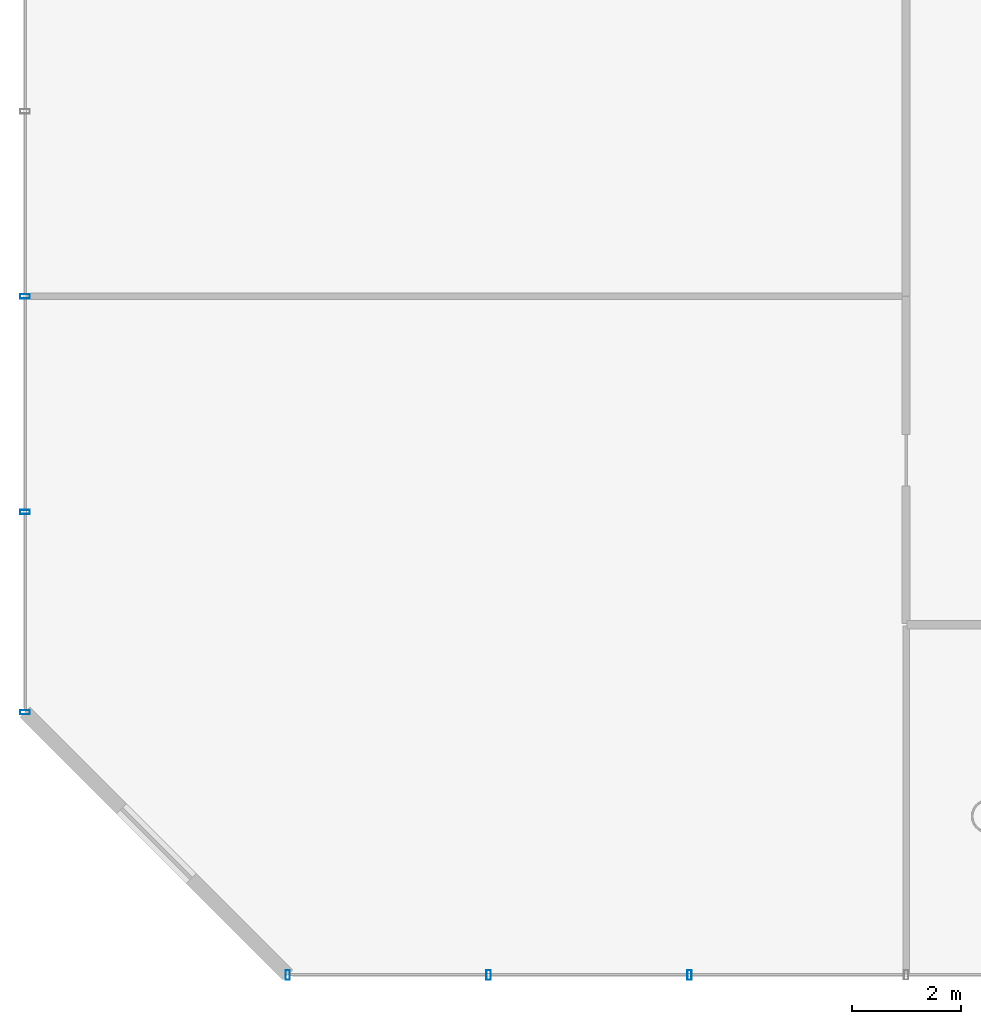
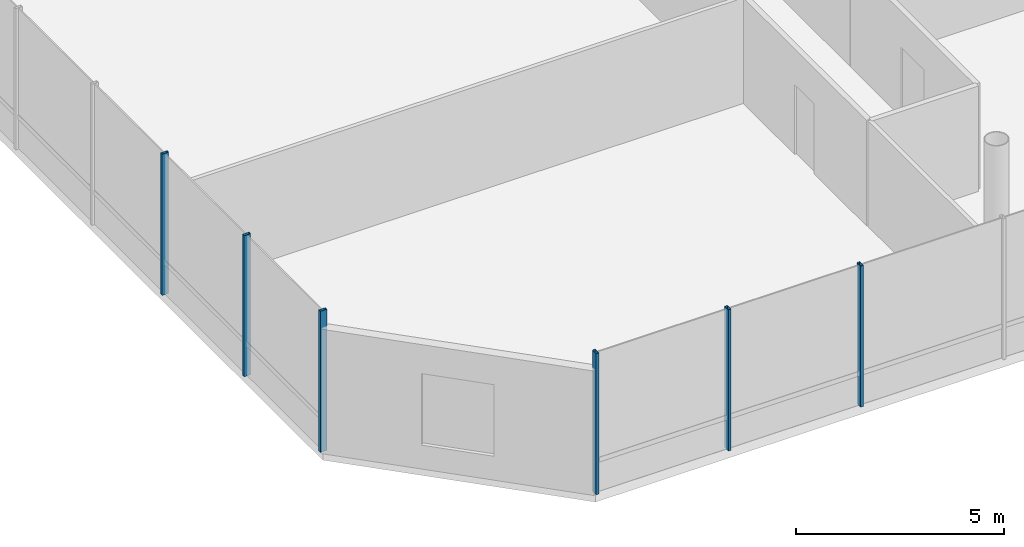
# One storey, part 4 of 37: 6 members, 2 elements without a shape of their own.
"""IFC4 building model written with IfcOpenShell, lengths in metres."""

from ifc_helpers import new_model, si_unit, direction, frame, origin, origin_2d, place, context, subcontext, project, spatial, hollow_rectangle, extrude, material, layer, layer_set, material_profile, profile_set, type_object, element, aggregate, save


model = new_model("IFC4")

# Units and contexts
model_context = context("Model", 3, precision=1e-05, world=origin(), true_north=direction((0.0, 1.0)))
body_context = subcontext(model_context, "Body", "Model", "MODEL_VIEW")
ifc_project = project(units=[si_unit("LENGTHUNIT", "METRE"), si_unit("AREAUNIT", "SQUARE_METRE"), si_unit("VOLUMEUNIT", "CUBIC_METRE"), si_unit("PLANEANGLEUNIT", "RADIAN"), si_unit("MASSUNIT", "GRAM", prefix="KILO")], contexts=[model_context])

# Site, building, storey
site_placement = place(None, origin())
site = spatial("IfcSite", under=ifc_project, at=site_placement, CompositionType="ELEMENT")
building_placement = place(site_placement, origin())
building = spatial("IfcBuilding", under=site, at=building_placement, Name="Zarrinselat Tower", CompositionType="ELEMENT")
storey_placement = place(building_placement, frame((0.0, 0.0, 13.93994140625)))
storey = spatial("IfcBuildingStorey", under=building, at=storey_placement, Name="L03", CompositionType="ELEMENT", Elevation=13.93994140625)

# Curtain wall, members
ifc_material_1 = material(Name="Extruded Aluminium Alloy EN AW-6063 T6", Category="aluminium")
ifc_layer = layer(ifc_material_1, 0.2099609375)
ifc_layer_set = layer_set([ifc_layer], Name="Extruded Aluminium Alloy EN AW-6063 T6")
curtain_wall_type = type_object("IfcCurtainWallType", Name="CWS-POD", PredefinedType="NOTDEFINED", material=ifc_layer_set)
curtain_wall_1_placement = place(storey_placement, origin())
curtain_wall_1 = element("IfcCurtainWall", 1, at=curtain_wall_1_placement, inside=storey, type_object=curtain_wall_type, Name="L03 Unitised Curtain Wall CW-L03-F1", PredefinedType="NOTDEFINED")
ifc_material_2 = material(Name="Extruded Aluminium Alloy EN AW-6063 T6", Category="aluminium")
ifc_material_profile = material_profile(ifc_material_2, hollow_rectangle(XDim=0.080078125, YDim=0.179931640625, WallThickness=0.0048828125, at=origin_2d()), Name="RHS 180x80x5")
ifc_profile_set = profile_set([ifc_material_profile], Name="Extruded Aluminium Alloy EN AW-6063 T6")
member_type = type_object("IfcMemberType", Name="MEM-CW-MUL", PredefinedType="MULLION", material=ifc_profile_set)
member_1_placement = place(storey_placement, frame((7.199951171875, 5.60009765625, 0.0), z_axis=(0.0, 0.0, 1.0), x_axis=(1.0, 0.0, 0.0)))
member_1 = element("IfcMember", 2, at=member_1_placement, type_object=member_type, Name="CW-L03-F1 Mullion 0", PredefinedType="MULLION", context=body_context, shape_type="SweptSolid", body=[
    extrude(hollow_rectangle(XDim=0.080078125, YDim=0.179931640625, WallThickness=0.0048828125, at=origin_2d()), origin(), (0.0, 0.0, 1.0), 4.14013671875),
])
member_2_placement = place(storey_placement, frame((10.87060546875, 5.60009765625, 0.0), z_axis=(0.0, 0.0, 1.0), x_axis=(1.0, 0.0, 0.0)))
member_2 = element("IfcMember", 3, at=member_2_placement, type_object=member_type, Name="CW-L03-F1 Mullion 1", PredefinedType="MULLION", context=body_context, shape_type="SweptSolid", body=[
    extrude(hollow_rectangle(XDim=0.080078125, YDim=0.179931640625, WallThickness=0.0048828125, at=origin_2d()), origin(), (0.0, 0.0, 1.0), 4.14013671875),
])
member_3_placement = place(storey_placement, frame((14.541259765625, 5.60009765625, 0.0), z_axis=(0.0, 0.0, 1.0), x_axis=(1.0, 0.0, 0.0)))
member_3 = element("IfcMember", 4, at=member_3_placement, type_object=member_type, Name="CW-L03-F1 Mullion 2", PredefinedType="MULLION", context=body_context, shape_type="SweptSolid", body=[
    extrude(hollow_rectangle(XDim=0.080078125, YDim=0.179931640625, WallThickness=0.0048828125, at=origin_2d()), origin(), (0.0, 0.0, 1.0), 4.14013671875),
])
aggregate(curtain_wall_1, [member_1, member_2, member_3])

curtain_wall_2_placement = place(storey_placement, origin())
curtain_wall_2 = element("IfcCurtainWall", 5, at=curtain_wall_2_placement, inside=storey, type_object=curtain_wall_type, Name="L03 Unitised Curtain Wall CW-L03-F7", PredefinedType="NOTDEFINED")
member_4_placement = place(storey_placement, frame((2.39990234375, 18.0, 0.0), z_axis=(0.0, 0.0, 1.0), x_axis=(0.0, -1.0, 0.0)))
member_4 = element("IfcMember", 6, at=member_4_placement, type_object=member_type, Name="CW-L03-F7 Mullion 8", PredefinedType="MULLION", context=body_context, shape_type="SweptSolid", body=[
    extrude(hollow_rectangle(XDim=0.080078125, YDim=0.179931640625, WallThickness=0.0048828125, at=origin_2d()), origin(), (0.0, 0.0, 1.0), 4.14013671875),
])
member_5_placement = place(storey_placement, frame((2.39990234375, 14.06005859375, 0.0), z_axis=(0.0, 0.0, 1.0), x_axis=(0.0, -1.0, 0.0)))
member_5 = element("IfcMember", 7, at=member_5_placement, type_object=member_type, Name="CW-L03-F7 Mullion 9", PredefinedType="MULLION", context=body_context, shape_type="SweptSolid", body=[
    extrude(hollow_rectangle(XDim=0.080078125, YDim=0.179931640625, WallThickness=0.0048828125, at=origin_2d()), origin(), (0.0, 0.0, 1.0), 4.14013671875),
])
member_6_placement = place(storey_placement, frame((2.39990234375, 10.39990234375, 0.0), z_axis=(0.0, 0.0, 1.0), x_axis=(0.0, -1.0, 0.0)))
member_6 = element("IfcMember", 8, at=member_6_placement, type_object=member_type, Name="CW-L03-F7 Mullion 10", PredefinedType="MULLION", context=body_context, shape_type="SweptSolid", body=[
    extrude(hollow_rectangle(XDim=0.080078125, YDim=0.179931640625, WallThickness=0.0048828125, at=origin_2d()), origin(), (0.0, 0.0, 1.0), 4.14013671875),
])
aggregate(curtain_wall_2, [member_4, member_5, member_6])

save(model, "model.ifc")
